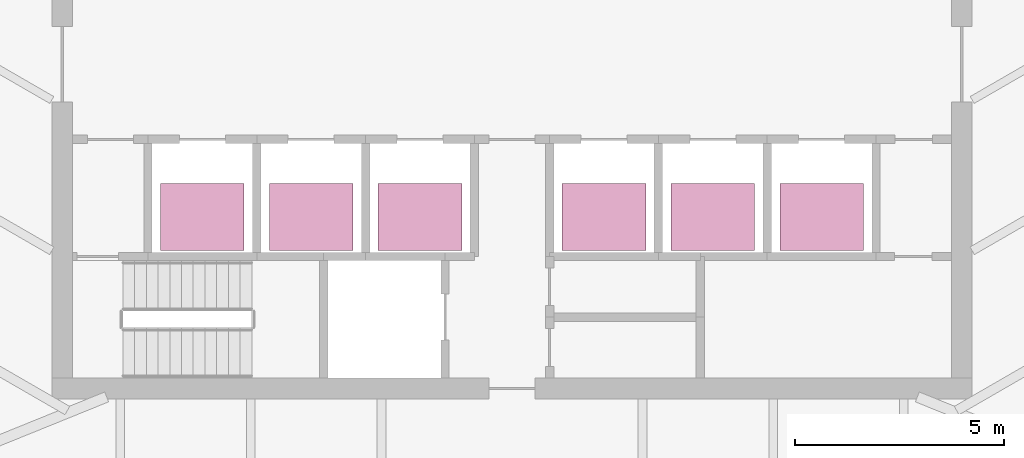
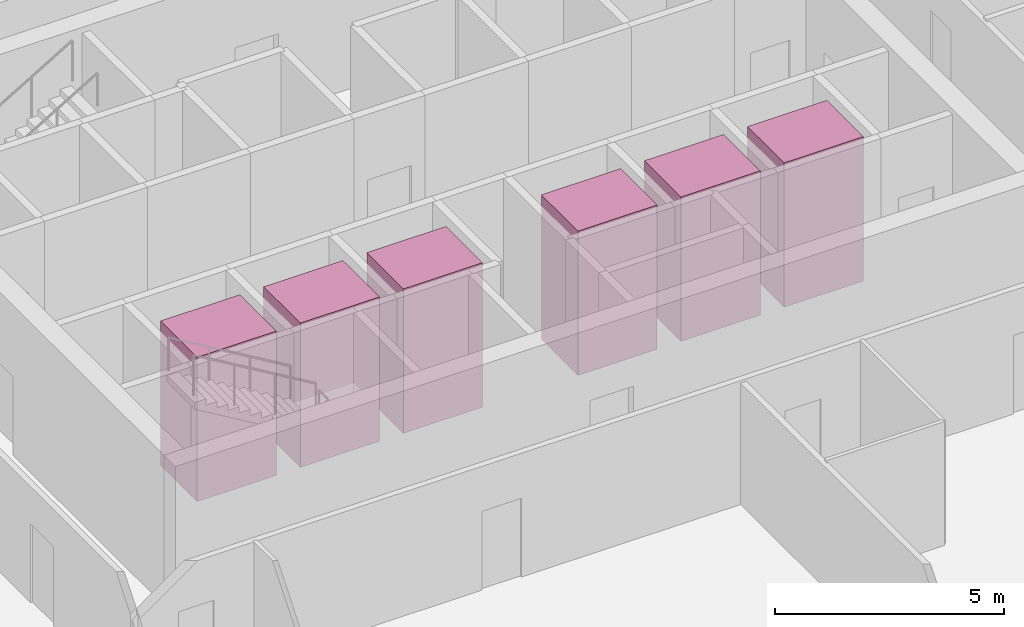
# One storey, part 19 of 19: 6 transport elements.
"""IFC4 building model written with IfcOpenShell, lengths in metres."""

from ifc_helpers import new_model, si_unit, direction, frame, origin, origin_2d, place, context, subcontext, project, spatial, rectangle, extrude, material, type_object, element, save


model = new_model("IFC4")

# Units and contexts
model_context = context("Model", 3, precision=1e-05, world=origin(), true_north=direction((0.0, 1.0)))
body_context = subcontext(model_context, "Body", "Model", "MODEL_VIEW")
ifc_project = project(units=[si_unit("LENGTHUNIT", "METRE"), si_unit("AREAUNIT", "SQUARE_METRE"), si_unit("VOLUMEUNIT", "CUBIC_METRE"), si_unit("PLANEANGLEUNIT", "RADIAN"), si_unit("MASSUNIT", "GRAM", prefix="KILO")], contexts=[model_context])

# Site, building, storey
site_placement = place(None, origin())
site = spatial("IfcSite", under=ifc_project, at=site_placement, CompositionType="ELEMENT")
building_placement = place(site_placement, origin())
building = spatial("IfcBuilding", under=site, at=building_placement, Name="Sierra Prisma Convention Tower", CompositionType="ELEMENT")
storey_placement = place(building_placement, frame((0.0, 0.0, 185.800048828125)))
storey = spatial("IfcBuildingStorey", under=building, at=storey_placement, Name="L41", CompositionType="ELEMENT", Elevation=185.800048828125)

# Transport elements
ifc_material = material(Name="Stainless steel", Category="steel")
transport_element_type = type_object("IfcTransportElementType", Name="Lift car office low 2000x1600 1600 kg", PredefinedType="ELEVATOR", material=ifc_material)
for number, where, z_axis, x_axis, name in (
    (1, (-7.39990234375, -3.64990234375, 0.0), (0.0, 0.0, 1.0), (1.0, 0.0, 0.0), "Lift OL1"),
    (2, (-4.800048828125, -3.64990234375, 0.0), (0.0, 0.0, 1.0), (1.0, 0.0, 0.0), "Lift OL2"),
    (3, (-2.199951171875, -3.64990234375, 0.0), (0.0, 0.0, 1.0), (1.0, 0.0, 0.0), "Lift OL3"),
    (4, (2.199951171875, -3.64990234375, 0.0), (0.0, 0.0, 1.0), (1.0, 0.0, 0.0), "Lift OL4"),
    (5, (4.800048828125, -3.64990234375, 0.0), (0.0, 0.0, 1.0), (1.0, 0.0, 0.0), "Lift OL5"),
    (6, (7.39990234375, -3.64990234375, 0.0), (0.0, 0.0, 1.0), (1.0, 0.0, 0.0), "Lift OL6"),
):
    element("IfcTransportElement", number, at=place(storey_placement, frame(where, z_axis=z_axis, x_axis=x_axis)), inside=storey, type_object=transport_element_type, Name=name, PredefinedType="ELEVATOR", context=body_context, shape_type="SweptSolid", body=[
        extrude(rectangle(XDim=2.0, YDim=1.60009765625, at=origin_2d()), origin(), (0.0, 0.0, 1.0), 3.85009765625),
    ])

save(model, "model.ifc")
